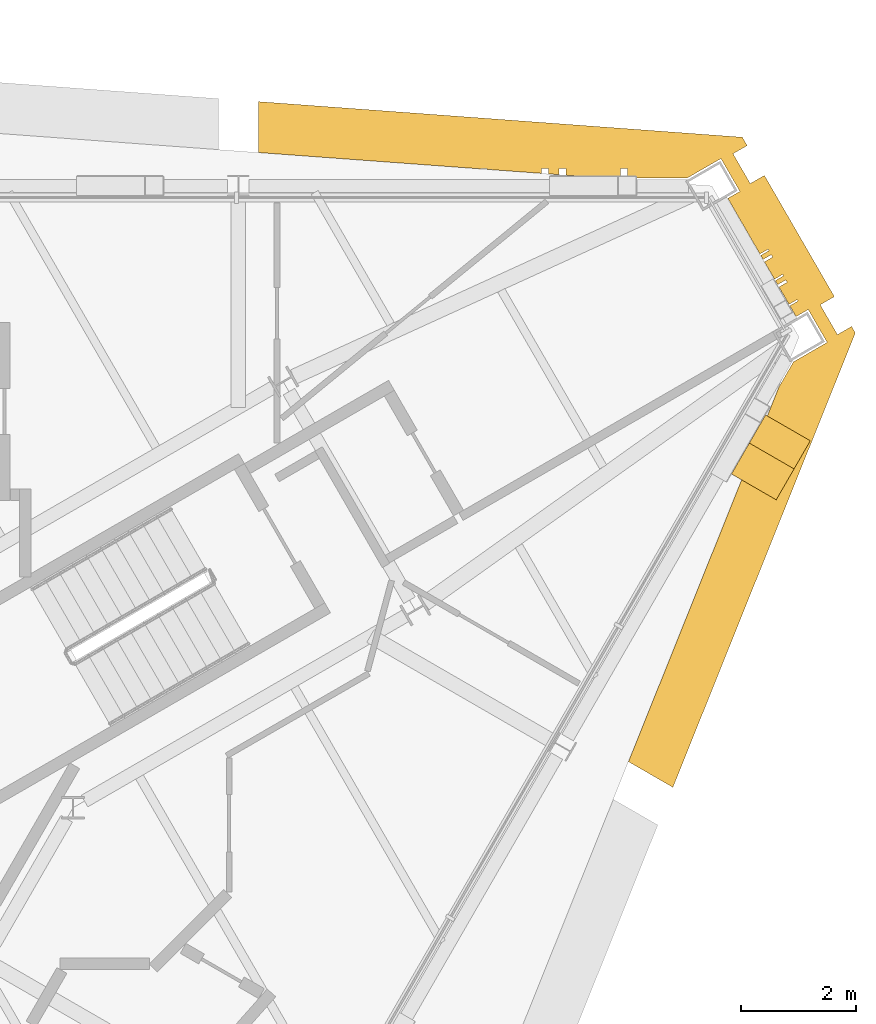
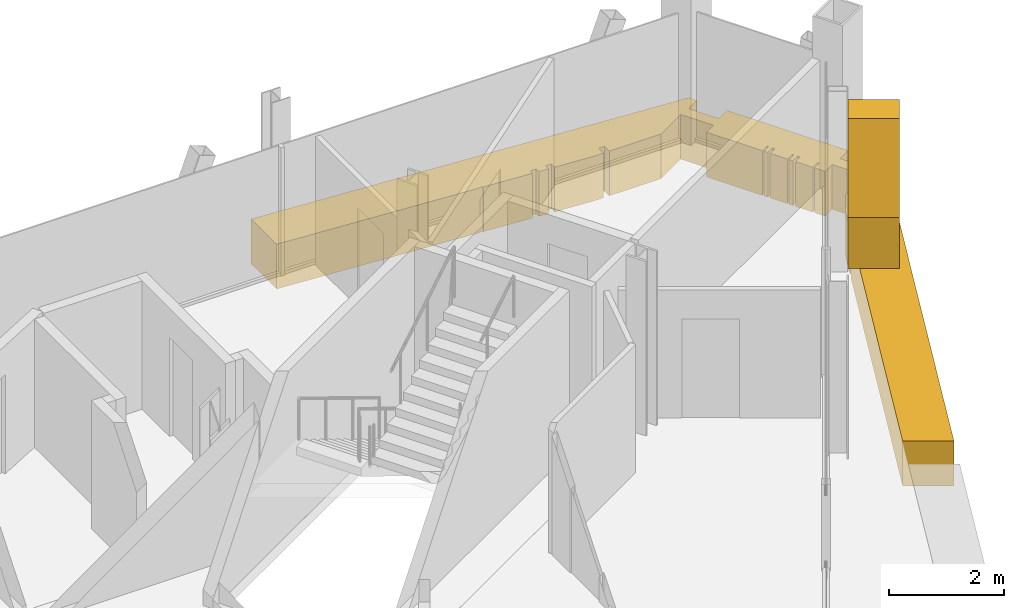
# One storey, part 15 of 15: 2 coverings.
"""IFC4 building model written with IfcOpenShell, lengths in metres."""

from ifc_helpers import new_model, si_unit, direction, frame, origin, place, context, subcontext, project, spatial, polyline, outline, extrude, material, layer, layer_set, type_object, element, save


model = new_model("IFC4")

# Units and contexts
model_context = context("Model", 3, precision=1e-05, world=origin(), true_north=direction((0.0, 1.0)))
body_context = subcontext(model_context, "Body", "Model", "MODEL_VIEW")
ifc_project = project(units=[si_unit("LENGTHUNIT", "METRE"), si_unit("AREAUNIT", "SQUARE_METRE"), si_unit("VOLUMEUNIT", "CUBIC_METRE"), si_unit("PLANEANGLEUNIT", "RADIAN"), si_unit("MASSUNIT", "GRAM", prefix="KILO")], contexts=[model_context])

# Site, building, storey
site_placement = place(None, origin())
site = spatial("IfcSite", under=ifc_project, at=site_placement, CompositionType="ELEMENT")
building_placement = place(site_placement, origin())
building = spatial("IfcBuilding", under=site, at=building_placement, Name="Verrane Prism Tower", CompositionType="ELEMENT")
storey_placement = place(building_placement, frame((0.0, 0.0, 301.0)))
storey = spatial("IfcBuildingStorey", under=building, at=storey_placement, Name="L76", CompositionType="ELEMENT", Elevation=301.0)

# Coverings
ifc_material_1 = material(Name="Warm limestone cladding", Category="masonry")
ifc_layer_1 = layer(ifc_material_1, 0.89990234375)
ifc_layer_set_1 = layer_set([ifc_layer_1], Name="Stone brace fin 900")
covering_type_1 = type_object("IfcCoveringType", Name="Stone brace fin 900", PredefinedType="CLADDING", material=ifc_layer_set_1)
covering_1_placement = place(storey_placement, frame((21.337158203125, 8.4072265625, 0.0), z_axis=(0.0, 0.0, 1.0), x_axis=(0.499811481546, 0.86613421761, 0.0)))
element("IfcCovering", 1, at=covering_1_placement, inside=storey, type_object=covering_type_1, Name="Stone brace fin SE5 L76", PredefinedType="CLADDING", context=body_context, shape_type="SweptSolid", body=[
    extrude(outline(polyline([(1.18701171875, 2.75), (0.62158203125, 2.75), (0.0, 1.075927734375), (0.0, 0.0), (0.560546875, 0.0), (1.18701171875, 1.686767578125), (1.18701171875, 2.75)])), frame((0.0, 0.449951171875, 0.0), z_axis=(0.0, -1.0, 0.0), x_axis=(1.0, 0.0, 0.0)), (0.0, 0.0, 1.0), 0.89990234375),
])
ifc_material_2 = material(Name="Warm limestone cladding", Category="masonry")
ifc_layer_2 = layer(ifc_material_2, 0.449951171875)
ifc_layer_set_2 = layer_set([ifc_layer_2], Name="Stone spandrel band 450")
covering_type_2 = type_object("IfcCoveringType", Name="Stone spandrel band 450", PredefinedType="CLADDING", material=ifc_layer_set_2)
covering_2_placement = place(storey_placement, frame((0.0, 0.0, -0.949951171875)))
element("IfcCovering", 2, at=covering_2_placement, inside=storey, type_object=covering_type_2, Name="Stone spandrel band L76 part 2", PredefinedType="CLADDING", context=body_context, shape_type="SweptSolid", body=[
    extrude(outline(polyline([(12.712646484375, 14.230224609375), (16.573486328125, 13.9462890625), (16.573486328125, 13.949951171875), (16.69091796875, 13.949951171875), (16.69091796875, 13.937744140625), (17.637451171875, 13.8681640625), (17.637451171875, 13.949951171875), (17.759765625, 13.949951171875), (17.759765625, 13.859130859375), (17.94677734375, 13.845458984375), (17.94677734375, 13.949951171875), (18.064453125, 13.949951171875), (18.064453125, 13.8369140625), (18.791015625, 13.783447265625), (19.010986328125, 13.783447265625), (19.010986328125, 13.949951171875), (19.13330078125, 13.949951171875), (19.13330078125, 13.783447265625), (20.1708984375, 13.783447265625), (20.76416015625, 14.125732421875), (21.093994140625, 13.55419921875), (20.8837890625, 13.432861328125), (21.443115234375, 12.464111328125), (21.584716796875, 12.5458984375), (21.599365234375, 12.520263671875), (21.4580078125, 12.4384765625), (21.49853515625, 12.3681640625), (21.639892578125, 12.449951171875), (21.66357421875, 12.409423828125), (21.52197265625, 12.32763671875), (21.6962890625, 12.025390625), (21.838134765625, 12.107421875), (21.852783203125, 12.081787109375), (21.711181640625, 12.0), (21.751708984375, 11.9296875), (21.893310546875, 12.01171875), (21.916748046875, 11.97119140625), (21.775146484375, 11.88916015625), (21.949462890625, 11.587158203125), (22.09130859375, 11.669189453125), (22.106201171875, 11.6435546875), (21.96435546875, 11.5615234375), (22.07275390625, 11.373779296875), (22.2841796875, 11.495849609375), (22.614013671875, 10.92431640625), (22.027099609375, 10.585205078125), (21.77197265625, 10.143310546875), (21.57080078125, 9.642578125), (21.646484375, 9.59912109375), (21.585205078125, 9.4931640625), (21.52490234375, 9.528076171875), (19.1533203125, 3.621337890625), (19.92724609375, 3.17431640625), (23.10498046875, 11.088623046875), (23.039794921875, 11.20166015625), (22.793212890625, 11.05908203125), (22.4931640625, 11.578857421875), (22.73974609375, 11.72119140625), (21.520751953125, 13.83251953125), (21.274169921875, 13.690185546875), (20.97412109375, 14.209716796875), (21.220703125, 14.352294921875), (21.136474609375, 14.498046875), (12.712646484375, 15.117431640625), (12.712646484375, 14.230224609375)])), origin(), (0.0, 0.0, 1.0), 0.949951171875),
])

save(model, "model.ifc")
